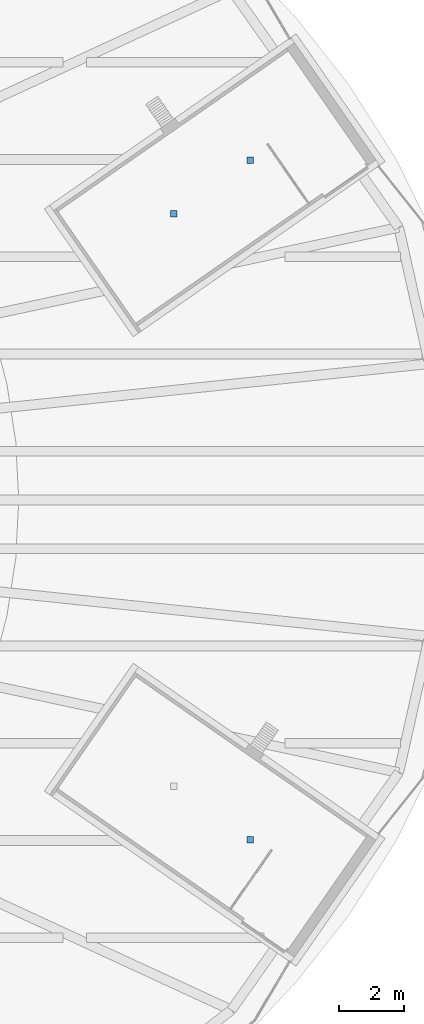
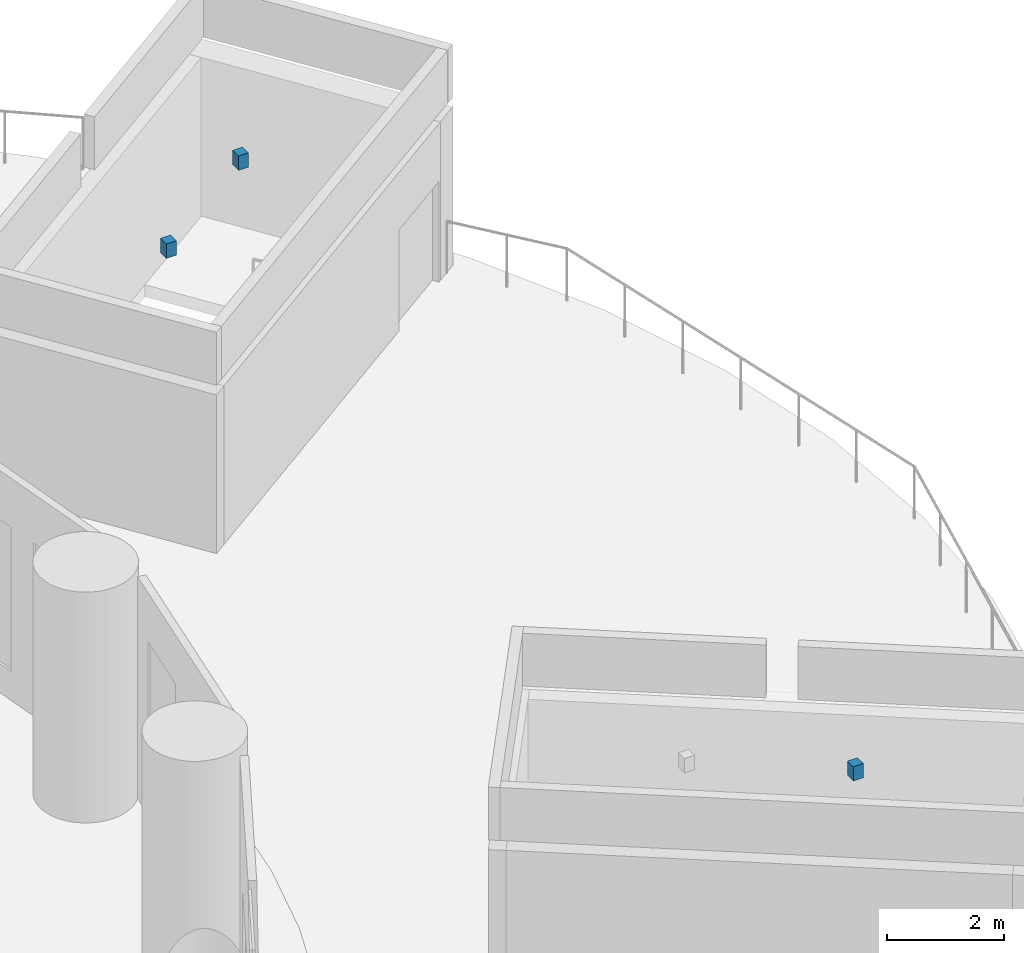
# One storey, part 13 of 17: 3 discrete accessories.
"""IFC4 building model written with IfcOpenShell, lengths in metres."""

from ifc_helpers import new_model, si_unit, direction, frame, origin, origin_2d, place, context, subcontext, project, spatial, rectangle, extrude, element, save


model = new_model("IFC4")

# Units and contexts
model_context = context("Model", 3, precision=1e-05, world=origin(), true_north=direction((0.0, 1.0)))
body_context = subcontext(model_context, "Body", "Model", "MODEL_VIEW")
ifc_project = project(units=[si_unit("LENGTHUNIT", "METRE"), si_unit("AREAUNIT", "SQUARE_METRE"), si_unit("VOLUMEUNIT", "CUBIC_METRE"), si_unit("PLANEANGLEUNIT", "RADIAN"), si_unit("MASSUNIT", "GRAM", prefix="KILO")], contexts=[model_context])

# Site, building, storey
site_placement = place(None, origin())
site = spatial("IfcSite", under=ifc_project, at=site_placement, CompositionType="ELEMENT")
building_placement = place(site_placement, origin())
building = spatial("IfcBuilding", under=site, at=building_placement, Name="Hankou Lantern Tower", CompositionType="ELEMENT")
storey_placement = place(building_placement, frame((0.0, 0.0, 24.60009765625)))
storey = spatial("IfcBuildingStorey", under=building, at=storey_placement, Name="L04", CompositionType="ELEMENT", Elevation=24.60009765625)

# Discrete accessories
for number, where, z_axis, x_axis, name in (
    (1, (34.64453125, 10.472412109375, 3.5), (0.0, 0.0, 1.0), (1.0, 0.0, 0.0), "Fall arrest anchor post FA1 on the stair P1 head-house roof (1)"),
    (2, (32.27490234375, 8.82421875, 3.5), (0.0, 0.0, 1.0), (1.0, 0.0, 0.0), "Fall arrest anchor post FA1 on the stair P1 head-house roof (2)"),
    (3, (34.64453125, -10.472412109375, 3.5), (0.0, 0.0, 1.0), (1.0, 0.0, 0.0), "Fall arrest anchor post FA1 on the stair P4 head-house roof (1)"),
):
    element("IfcDiscreteAccessory", number, at=place(storey_placement, frame(where, z_axis=z_axis, x_axis=x_axis)), inside=storey, Name=name, ObjectType="FALL ARREST ANCHOR", PredefinedType="USERDEFINED", context=body_context, shape_type="SweptSolid", body=[
        extrude(rectangle(XDim=0.199951171875, YDim=0.199951171875, at=origin_2d()), origin(), (0.0, 0.0, 1.0), 0.300048828125),
    ])

save(model, "model.ifc")
